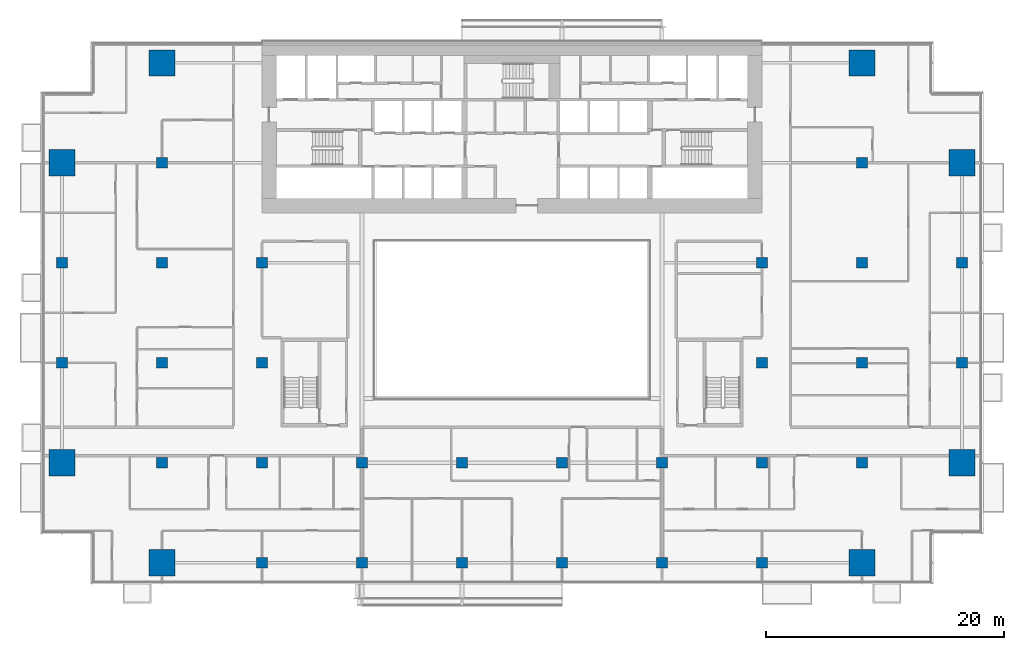
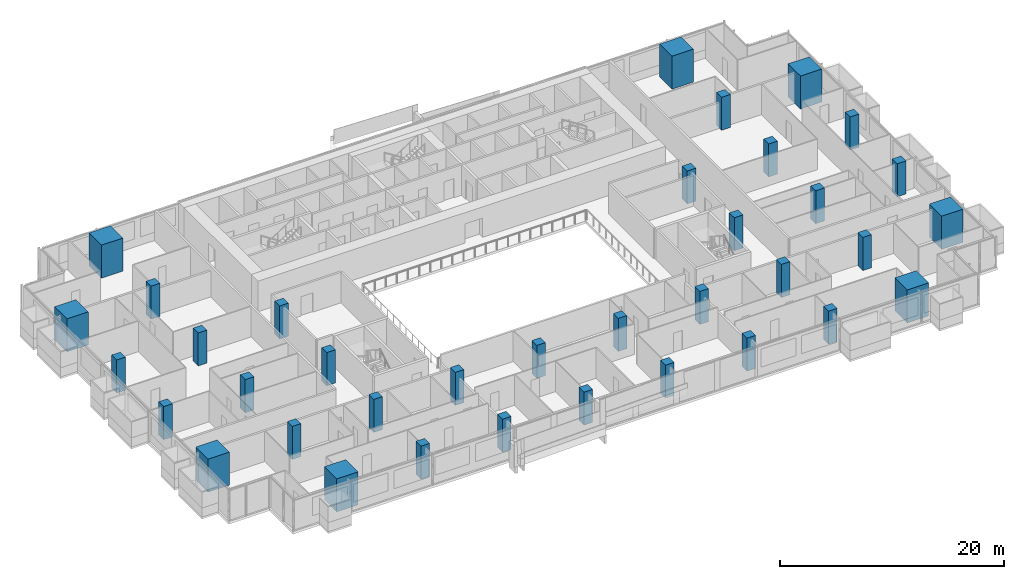
# One storey, part 1 of 27: 36 columns.
"""IFC4 building model written with IfcOpenShell, lengths in metres."""

from ifc_helpers import new_model, si_unit, direction, frame, origin, origin_2d, place, context, subcontext, project, spatial, rectangle, extrude, material, material_profile, profile_set, type_object, element, save


model = new_model("IFC4")

# Units and contexts
model_context = context("Model", 3, precision=1e-05, world=origin(), true_north=direction((0.0, 1.0)))
body_context = subcontext(model_context, "Body", "Model", "MODEL_VIEW")
ifc_project = project(units=[si_unit("LENGTHUNIT", "METRE"), si_unit("AREAUNIT", "SQUARE_METRE"), si_unit("VOLUMEUNIT", "CUBIC_METRE"), si_unit("PLANEANGLEUNIT", "RADIAN"), si_unit("MASSUNIT", "GRAM", prefix="KILO")], contexts=[model_context])

# Site, building, storey
site_placement = place(None, origin())
site = spatial("IfcSite", under=ifc_project, at=site_placement, CompositionType="ELEMENT")
building_placement = place(site_placement, origin())
building = spatial("IfcBuilding", under=site, at=building_placement, Name="Saffron Gate Tower", CompositionType="ELEMENT")
storey_placement = place(building_placement, frame((0.0, 0.0, 40.800048828125)))
storey = spatial("IfcBuildingStorey", under=building, at=storey_placement, Name="L08", CompositionType="ELEMENT", Elevation=40.800048828125)

# Columns
ifc_material_1 = material(Name="Concrete C60", Category="concrete")
ifc_material_profile_1 = material_profile(ifc_material_1, rectangle(XDim=0.89990234375, YDim=0.89990234375, at=origin_2d()))
ifc_profile_set_1 = profile_set([ifc_material_profile_1], Name="Concrete C60")
column_type_1 = type_object("IfcColumnType", Name="C6 RC 900x900 CONCRETE C60", PredefinedType="COLUMN", material=ifc_profile_set_1)
for number, where, z_axis, x_axis, name in (
    (1, (49.800048828125, 48.60009765625, 0.0), (0.0, 0.0, 1.0), (1.0, 0.0, 0.0), "C6 COLUMN X1-C"),
    (2, (49.800048828125, 57.0, 0.0), (0.0, 0.0, 1.0), (1.0, 0.0, 0.0), "C6 COLUMN X1-D"),
    (3, (58.199951171875, 40.199951171875, 0.0), (0.0, 0.0, 1.0), (1.0, 0.0, 0.0), "C6 COLUMN X2-B"),
    (4, (58.199951171875, 48.60009765625, 0.0), (0.0, 0.0, 1.0), (1.0, 0.0, 0.0), "C6 COLUMN X2-C"),
    (5, (58.199951171875, 57.0, 0.0), (0.0, 0.0, 1.0), (1.0, 0.0, 0.0), "C6 COLUMN X2-D"),
    (6, (58.199951171875, 65.39990234375, 0.0), (0.0, 0.0, 1.0), (1.0, 0.0, 0.0), "C6 COLUMN X2-E"),
    (7, (66.60009765625, 31.800048828125, 0.0), (0.0, 0.0, 1.0), (1.0, 0.0, 0.0), "C6 COLUMN X3-A"),
    (8, (66.60009765625, 40.199951171875, 0.0), (0.0, 0.0, 1.0), (1.0, 0.0, 0.0), "C6 COLUMN X3-B"),
    (9, (66.60009765625, 48.60009765625, 0.0), (0.0, 0.0, 1.0), (1.0, 0.0, 0.0), "C6 COLUMN X3-C"),
    (10, (66.60009765625, 57.0, 0.0), (0.0, 0.0, 1.0), (1.0, 0.0, 0.0), "C6 COLUMN X3-D"),
    (11, (75.0, 31.800048828125, 0.0), (0.0, 0.0, 1.0), (1.0, 0.0, 0.0), "C6 COLUMN X4-A"),
    (12, (75.0, 40.199951171875, 0.0), (0.0, 0.0, 1.0), (1.0, 0.0, 0.0), "C6 COLUMN X4-B"),
    (13, (83.39990234375, 31.800048828125, 0.0), (0.0, 0.0, 1.0), (1.0, 0.0, 0.0), "C6 COLUMN X5-A"),
    (14, (83.39990234375, 40.199951171875, 0.0), (0.0, 0.0, 1.0), (1.0, 0.0, 0.0), "C6 COLUMN X5-B"),
    (15, (91.800048828125, 31.800048828125, 0.0), (0.0, 0.0, 1.0), (1.0, 0.0, 0.0), "C6 COLUMN X6-A"),
    (16, (91.800048828125, 40.199951171875, 0.0), (0.0, 0.0, 1.0), (1.0, 0.0, 0.0), "C6 COLUMN X6-B"),
    (17, (100.199951171875, 31.800048828125, 0.0), (0.0, 0.0, 1.0), (1.0, 0.0, 0.0), "C6 COLUMN X7-A"),
    (18, (100.199951171875, 40.199951171875, 0.0), (0.0, 0.0, 1.0), (1.0, 0.0, 0.0), "C6 COLUMN X7-B"),
    (19, (108.60009765625, 31.800048828125, 0.0), (0.0, 0.0, 1.0), (1.0, 0.0, 0.0), "C6 COLUMN X8-A"),
    (20, (108.60009765625, 40.199951171875, 0.0), (0.0, 0.0, 1.0), (1.0, 0.0, 0.0), "C6 COLUMN X8-B"),
    (21, (108.60009765625, 48.60009765625, 0.0), (0.0, 0.0, 1.0), (1.0, 0.0, 0.0), "C6 COLUMN X8-C"),
    (22, (108.60009765625, 57.0, 0.0), (0.0, 0.0, 1.0), (1.0, 0.0, 0.0), "C6 COLUMN X8-D"),
    (23, (117.0, 40.199951171875, 0.0), (0.0, 0.0, 1.0), (1.0, 0.0, 0.0), "C6 COLUMN X9-B"),
    (24, (117.0, 48.60009765625, 0.0), (0.0, 0.0, 1.0), (1.0, 0.0, 0.0), "C6 COLUMN X9-C"),
    (25, (117.0, 57.0, 0.0), (0.0, 0.0, 1.0), (1.0, 0.0, 0.0), "C6 COLUMN X9-D"),
    (26, (117.0, 65.39990234375, 0.0), (0.0, 0.0, 1.0), (1.0, 0.0, 0.0), "C6 COLUMN X9-E"),
    (27, (125.39990234375, 48.60009765625, 0.0), (0.0, 0.0, 1.0), (1.0, 0.0, 0.0), "C6 COLUMN X10-C"),
    (28, (125.39990234375, 57.0, 0.0), (0.0, 0.0, 1.0), (1.0, 0.0, 0.0), "C6 COLUMN X10-D"),
):
    element("IfcColumn", number, at=place(storey_placement, frame(where, z_axis=z_axis, x_axis=x_axis)), inside=storey, type_object=column_type_1, Name=name, PredefinedType="COLUMN", context=body_context, shape_type="SweptSolid", body=[
        extrude(rectangle(XDim=0.89990234375, YDim=0.89990234375, at=origin_2d()), origin(), (0.0, 0.0, 1.0), 3.599853515625),
    ])
ifc_material_2 = material(Name="Concrete C80", Category="concrete")
ifc_material_profile_2 = material_profile(ifc_material_2, rectangle(XDim=2.199951171875, YDim=2.199951171875, at=origin_2d()))
ifc_profile_set_2 = profile_set([ifc_material_profile_2], Name="Concrete C80")
column_type_2 = type_object("IfcColumnType", Name="MC4 RC 2200x2200 CONCRETE C80", PredefinedType="COLUMN", material=ifc_profile_set_2)
for number, where, z_axis, x_axis, name in (
    (29, (49.800048828125, 40.199951171875, 0.0), (0.0, 0.0, 1.0), (1.0, 0.0, 0.0), "MC4 MEGA COLUMN X1-B"),
    (30, (49.800048828125, 65.39990234375, 0.0), (0.0, 0.0, 1.0), (1.0, 0.0, 0.0), "MC4 MEGA COLUMN X1-E"),
    (31, (58.199951171875, 31.800048828125, 0.0), (0.0, 0.0, 1.0), (1.0, 0.0, 0.0), "MC4 MEGA COLUMN X2-A"),
    (32, (58.199951171875, 73.800048828125, 0.0), (0.0, 0.0, 1.0), (1.0, 0.0, 0.0), "MC4 MEGA COLUMN X2-F"),
    (33, (117.0, 31.800048828125, 0.0), (0.0, 0.0, 1.0), (1.0, 0.0, 0.0), "MC4 MEGA COLUMN X9-A"),
    (34, (117.0, 73.800048828125, 0.0), (0.0, 0.0, 1.0), (1.0, 0.0, 0.0), "MC4 MEGA COLUMN X9-F"),
    (35, (125.39990234375, 40.199951171875, 0.0), (0.0, 0.0, 1.0), (1.0, 0.0, 0.0), "MC4 MEGA COLUMN X10-B"),
    (36, (125.39990234375, 65.39990234375, 0.0), (0.0, 0.0, 1.0), (1.0, 0.0, 0.0), "MC4 MEGA COLUMN X10-E"),
):
    element("IfcColumn", number, at=place(storey_placement, frame(where, z_axis=z_axis, x_axis=x_axis)), inside=storey, type_object=column_type_2, Name=name, PredefinedType="COLUMN", context=body_context, shape_type="SweptSolid", body=[
        extrude(rectangle(XDim=2.199951171875, YDim=2.199951171875, at=origin_2d()), origin(), (0.0, 0.0, 1.0), 3.599853515625),
    ])

save(model, "model.ifc")
